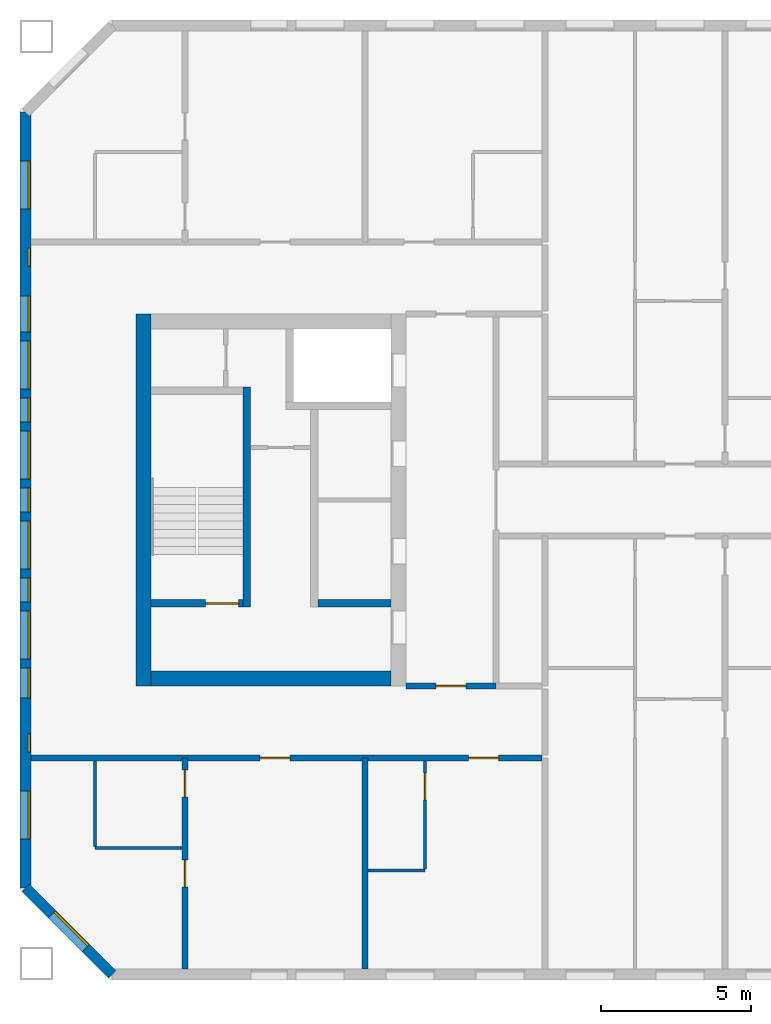
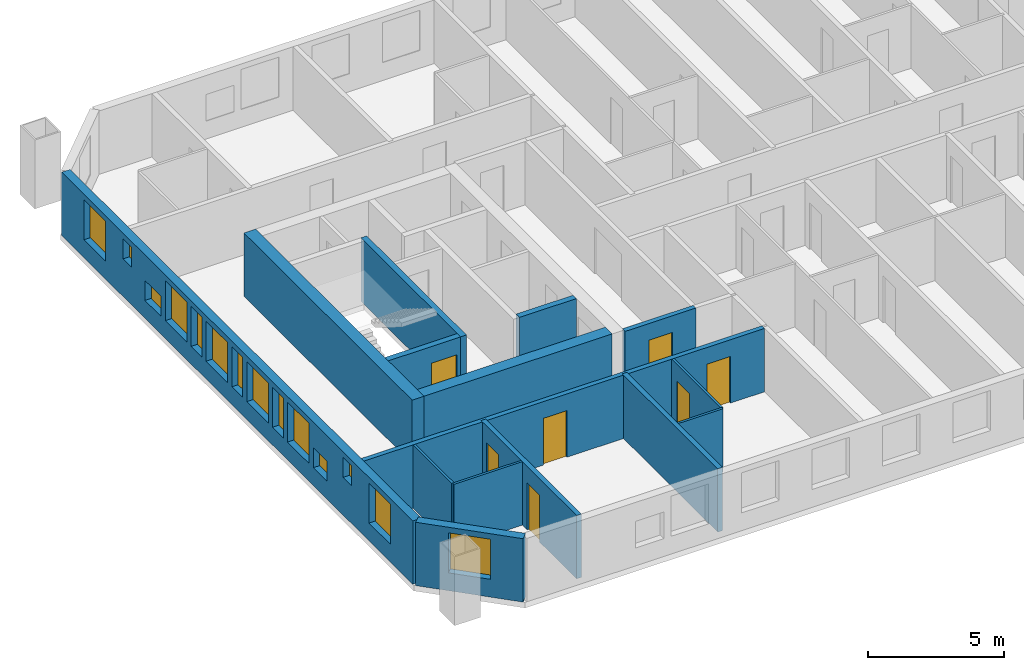
# One storey, part 2 of 16: 15 walls, 14 windows, 7 doors, 21 openings.
"""IFC4 building model written with IfcOpenShell, lengths in metres."""

from ifc_helpers import new_model, si_unit, direction, frame, frame_2d, origin, place, context, subcontext, project, spatial, rectangle, extrude, material, layer, layer_set, type_object, element, fill, save


model = new_model("IFC4")

# Units and contexts
model_context = context("Model", 3, precision=1e-05, world=origin(), true_north=direction((0.0, 1.0)))
body_context = subcontext(model_context, "Body", "Model", "MODEL_VIEW")
ifc_project = project(units=[si_unit("LENGTHUNIT", "METRE"), si_unit("AREAUNIT", "SQUARE_METRE"), si_unit("VOLUMEUNIT", "CUBIC_METRE"), si_unit("PLANEANGLEUNIT", "RADIAN"), si_unit("MASSUNIT", "GRAM", prefix="KILO")], contexts=[model_context])

# Site, building, storey
site_placement = place(None, origin())
site = spatial("IfcSite", under=ifc_project, at=site_placement, CompositionType="ELEMENT")
building_placement = place(site_placement, origin())
building = spatial("IfcBuilding", under=site, at=building_placement, Name="Tuart Gate Housing", CompositionType="ELEMENT")
storey_placement = place(building_placement, frame((0.0, 0.0, 151.60009765625)))
storey = spatial("IfcBuildingStorey", under=building, at=storey_placement, Name="L42", CompositionType="ELEMENT", Elevation=151.60009765625)

# Wall, opening, window
ifc_material_1 = material(Name="Brick", Category="masonry")
ifc_layer_1 = layer(ifc_material_1, 0.360107421875)
ifc_layer_set_1 = layer_set([ifc_layer_1], Name="Brick pier and spandrel wall 360")
wall_type_1 = type_object("IfcWallType", Name="Brick pier and spandrel wall 360", PredefinedType="STANDARD", material=ifc_layer_set_1)
wall_1_placement = place(storey_placement, frame((28.679931640625, 57.07470703125, 0.0), z_axis=(0.0, 0.0, 1.0), x_axis=(0.707106781187, -0.707106781187, 0.0)))
wall_1 = element("IfcWall", 1, at=wall_1_placement, inside=storey, type_object=wall_type_1, Name="External wall A-SW L42", PredefinedType="STANDARD", context=body_context, shape_type="SweptSolid", body=[
    extrude(rectangle(XDim=4.09375, YDim=0.360107421875, at=frame_2d((2.046875, 0.0))), origin(), (0.0, 0.0, 1.0), 2.849853515625),
])
opening_1_placement = place(wall_1_placement, frame((1.2470703125, 0.0, 0.800048828125)))
opening_1 = element("IfcOpeningElement", 2, at=opening_1_placement, cuts=wall_1, Name="Opening W1", PredefinedType="OPENING", context=body_context, shape_type="SweptSolid", body=[
    extrude(rectangle(XDim=1.60009765625, YDim=1.800048828125, at=frame_2d((0.800048828125, 0.89990234375))), frame((0.0, 0.18994140625, 0.0), z_axis=(0.0, -1.0, 0.0), x_axis=(1.0, 0.0, 0.0)), (0.0, 0.0, 1.0), 0.380126953125),
])
ifc_material_2 = material(Name="Aluminium frame with clear glass", Category="aluminium")
window_type_1 = type_object("IfcWindowType", Name="Punched window 1600 x 1800", PartitioningType="SINGLE_PANEL", PredefinedType="WINDOW", material=ifc_material_2)
window_1_placement = place(opening_1_placement, origin())
window_1 = element("IfcWindow", 3, at=window_1_placement, inside=storey, type_object=window_type_1, Name="Window W1", OverallHeight=1.800048828125, OverallWidth=1.60009765625, PartitioningType="SINGLE_PANEL", PredefinedType="WINDOW", context=body_context, shape_type="SweptSolid", body=[
    extrude(rectangle(XDim=1.60009765625, YDim=1.800048828125, at=frame_2d((0.800048828125, 0.89990234375))), frame((0.0, 0.150146484375, 0.0), z_axis=(0.0, -1.0, 0.0), x_axis=(1.0, 0.0, 0.0)), (0.0, 0.0, 1.0), 0.06005859375),
])
fill(opening_1, window_1)

# Wall, openings, windows
wall_2_placement = place(storey_placement, frame((28.679931640625, 82.92529296875, 0.0), z_axis=(0.0, 0.0, 1.0), x_axis=(0.0, -1.0, 0.0)))
wall_2 = element("IfcWall", 4, at=wall_2_placement, inside=storey, type_object=wall_type_1, Name="External wall A-W L42", PredefinedType="STANDARD", context=body_context, shape_type="SweptSolid", body=[
    extrude(rectangle(XDim=25.850830078125, YDim=0.360107421875, at=frame_2d((12.92529296875, 0.0))), origin(), (0.0, 0.0, 1.0), 2.849853515625),
])
opening_2_placement = place(wall_2_placement, frame((1.62548828125, 0.0, 0.800048828125)))
opening_2 = element("IfcOpeningElement", 5, at=opening_2_placement, cuts=wall_2, Name="Opening W1", PredefinedType="OPENING", context=body_context, shape_type="SweptSolid", body=[
    extrude(rectangle(XDim=1.60009765625, YDim=1.800048828125, at=frame_2d((0.800048828125, 0.89990234375))), frame((0.0, 0.18994140625, 0.0), z_axis=(0.0, -1.0, 0.0), x_axis=(1.0, 0.0, 0.0)), (0.0, 0.0, 1.0), 0.380126953125),
])
opening_3_placement = place(wall_2_placement, frame((4.525390625, 0.0, 1.699951171875)))
opening_3 = element("IfcOpeningElement", 6, at=opening_3_placement, cuts=wall_2, Name="Opening W1W", PredefinedType="OPENING", context=body_context, shape_type="SweptSolid", body=[
    extrude(rectangle(XDim=0.60009765625, YDim=0.89990234375, at=frame_2d((0.300048828125, 0.449951171875))), frame((0.0, 0.18994140625, 0.0), z_axis=(0.0, -1.0, 0.0), x_axis=(1.0, 0.0, 0.0)), (0.0, 0.0, 1.0), 0.380126953125),
])
opening_4_placement = place(wall_2_placement, frame((7.62548828125, 0.0, 0.800048828125)))
opening_4 = element("IfcOpeningElement", 7, at=opening_4_placement, cuts=wall_2, Name="Opening W1", PredefinedType="OPENING", context=body_context, shape_type="SweptSolid", body=[
    extrude(rectangle(XDim=1.60009765625, YDim=1.800048828125, at=frame_2d((0.800048828125, 0.89990234375))), frame((0.0, 0.18994140625, 0.0), z_axis=(0.0, -1.0, 0.0), x_axis=(1.0, 0.0, 0.0)), (0.0, 0.0, 1.0), 0.380126953125),
])
opening_5_placement = place(wall_2_placement, frame((10.62548828125, 0.0, 0.800048828125)))
opening_5 = element("IfcOpeningElement", 8, at=opening_5_placement, cuts=wall_2, Name="Opening W1", PredefinedType="OPENING", context=body_context, shape_type="SweptSolid", body=[
    extrude(rectangle(XDim=1.60009765625, YDim=1.800048828125, at=frame_2d((0.800048828125, 0.89990234375))), frame((0.0, 0.18994140625, 0.0), z_axis=(0.0, -1.0, 0.0), x_axis=(1.0, 0.0, 0.0)), (0.0, 0.0, 1.0), 0.380126953125),
])
opening_6_placement = place(wall_2_placement, frame((13.62548828125, 0.0, 0.800048828125)))
opening_6 = element("IfcOpeningElement", 9, at=opening_6_placement, cuts=wall_2, Name="Opening W1", PredefinedType="OPENING", context=body_context, shape_type="SweptSolid", body=[
    extrude(rectangle(XDim=1.60009765625, YDim=1.800048828125, at=frame_2d((0.800048828125, 0.89990234375))), frame((0.0, 0.18994140625, 0.0), z_axis=(0.0, -1.0, 0.0), x_axis=(1.0, 0.0, 0.0)), (0.0, 0.0, 1.0), 0.380126953125),
])
opening_7_placement = place(wall_2_placement, frame((16.62548828125, 0.0, 0.800048828125)))
opening_7 = element("IfcOpeningElement", 10, at=opening_7_placement, cuts=wall_2, Name="Opening W1", PredefinedType="OPENING", context=body_context, shape_type="SweptSolid", body=[
    extrude(rectangle(XDim=1.60009765625, YDim=1.800048828125, at=frame_2d((0.800048828125, 0.89990234375))), frame((0.0, 0.18994140625, 0.0), z_axis=(0.0, -1.0, 0.0), x_axis=(1.0, 0.0, 0.0)), (0.0, 0.0, 1.0), 0.380126953125),
])
opening_8_placement = place(wall_2_placement, frame((6.12548828125, 0.0, 0.800048828125)))
opening_8 = element("IfcOpeningElement", 11, at=opening_8_placement, cuts=wall_2, Name="Opening W1T", PredefinedType="OPENING", context=body_context, shape_type="SweptSolid", body=[
    extrude(rectangle(XDim=1.199951171875, YDim=0.89990234375, at=frame_2d((0.60009765625, 0.449951171875))), frame((0.0, 0.18994140625, 0.0), z_axis=(0.0, -1.0, 0.0), x_axis=(1.0, 0.0, 0.0)), (0.0, 0.0, 1.0), 0.380126953125),
])
opening_9_placement = place(wall_2_placement, frame((22.62548828125, 0.0, 0.800048828125)))
opening_9 = element("IfcOpeningElement", 12, at=opening_9_placement, cuts=wall_2, Name="Opening W1", PredefinedType="OPENING", context=body_context, shape_type="SweptSolid", body=[
    extrude(rectangle(XDim=1.60009765625, YDim=1.800048828125, at=frame_2d((0.800048828125, 0.89990234375))), frame((0.0, 0.18994140625, 0.0), z_axis=(0.0, -1.0, 0.0), x_axis=(1.0, 0.0, 0.0)), (0.0, 0.0, 1.0), 0.380126953125),
])
opening_10_placement = place(wall_2_placement, frame((9.525390625, 0.0, 0.800048828125)))
opening_10 = element("IfcOpeningElement", 13, at=opening_10_placement, cuts=wall_2, Name="Opening W1D", PredefinedType="OPENING", context=body_context, shape_type="SweptSolid", body=[
    extrude(rectangle(XDim=0.800048828125, YDim=1.800048828125, at=frame_2d((0.39990234375, 0.89990234375))), frame((0.0, 0.18994140625, 0.0), z_axis=(0.0, -1.0, 0.0), x_axis=(1.0, 0.0, 0.0)), (0.0, 0.0, 1.0), 0.380126953125),
])
opening_11_placement = place(wall_2_placement, frame((12.525390625, 0.0, 0.800048828125)))
opening_11 = element("IfcOpeningElement", 14, at=opening_11_placement, cuts=wall_2, Name="Opening W1D", PredefinedType="OPENING", context=body_context, shape_type="SweptSolid", body=[
    extrude(rectangle(XDim=0.800048828125, YDim=1.800048828125, at=frame_2d((0.39990234375, 0.89990234375))), frame((0.0, 0.18994140625, 0.0), z_axis=(0.0, -1.0, 0.0), x_axis=(1.0, 0.0, 0.0)), (0.0, 0.0, 1.0), 0.380126953125),
])
opening_12_placement = place(wall_2_placement, frame((15.525390625, 0.0, 0.800048828125)))
opening_12 = element("IfcOpeningElement", 15, at=opening_12_placement, cuts=wall_2, Name="Opening W1D", PredefinedType="OPENING", context=body_context, shape_type="SweptSolid", body=[
    extrude(rectangle(XDim=0.800048828125, YDim=1.800048828125, at=frame_2d((0.39990234375, 0.89990234375))), frame((0.0, 0.18994140625, 0.0), z_axis=(0.0, -1.0, 0.0), x_axis=(1.0, 0.0, 0.0)), (0.0, 0.0, 1.0), 0.380126953125),
])
opening_13_placement = place(wall_2_placement, frame((18.525390625, 0.0, 0.800048828125)))
opening_13 = element("IfcOpeningElement", 16, at=opening_13_placement, cuts=wall_2, Name="Opening W1U", PredefinedType="OPENING", context=body_context, shape_type="SweptSolid", body=[
    extrude(rectangle(XDim=1.0, YDim=0.89990234375, at=frame_2d((0.5, 0.449951171875))), frame((0.0, 0.18994140625, 0.0), z_axis=(0.0, -1.0, 0.0), x_axis=(1.0, 0.0, 0.0)), (0.0, 0.0, 1.0), 0.380126953125),
])
opening_14_placement = place(wall_2_placement, frame((20.725341796875, 0.0, 1.699951171875)))
opening_14 = element("IfcOpeningElement", 17, at=opening_14_placement, cuts=wall_2, Name="Opening W1W", PredefinedType="OPENING", context=body_context, shape_type="SweptSolid", body=[
    extrude(rectangle(XDim=0.60009765625, YDim=0.89990234375, at=frame_2d((0.300048828125, 0.449951171875))), frame((0.0, 0.18994140625, 0.0), z_axis=(0.0, -1.0, 0.0), x_axis=(1.0, 0.0, 0.0)), (0.0, 0.0, 1.0), 0.380126953125),
])
ifc_material_3 = material(Name="Aluminium frame with clear glass", Category="aluminium")
window_type_2 = type_object("IfcWindowType", Name="Punched window 1000 x 900", PartitioningType="SINGLE_PANEL", PredefinedType="WINDOW", material=ifc_material_3)
window_2_placement = place(opening_13_placement, origin())
window_2 = element("IfcWindow", 18, at=window_2_placement, inside=storey, type_object=window_type_2, Name="Window W1U", OverallHeight=0.89990234375, OverallWidth=1.0, PartitioningType="SINGLE_PANEL", PredefinedType="WINDOW", context=body_context, shape_type="SweptSolid", body=[
    extrude(rectangle(XDim=1.0, YDim=0.89990234375, at=frame_2d((0.5, 0.449951171875))), frame((0.0, 0.150146484375, 0.0), z_axis=(0.0, -1.0, 0.0), x_axis=(1.0, 0.0, 0.0)), (0.0, 0.0, 1.0), 0.06005859375),
])
fill(opening_13, window_2)
ifc_material_4 = material(Name="Aluminium frame with clear glass", Category="aluminium")
window_type_3 = type_object("IfcWindowType", Name="Punched window 1200 x 900", PartitioningType="SINGLE_PANEL", PredefinedType="WINDOW", material=ifc_material_4)
window_3_placement = place(opening_8_placement, origin())
window_3 = element("IfcWindow", 19, at=window_3_placement, inside=storey, type_object=window_type_3, Name="Window W1T", OverallHeight=0.89990234375, OverallWidth=1.199951171875, PartitioningType="SINGLE_PANEL", PredefinedType="WINDOW", context=body_context, shape_type="SweptSolid", body=[
    extrude(rectangle(XDim=1.199951171875, YDim=0.89990234375, at=frame_2d((0.60009765625, 0.449951171875))), frame((0.0, 0.150146484375, 0.0), z_axis=(0.0, -1.0, 0.0), x_axis=(1.0, 0.0, 0.0)), (0.0, 0.0, 1.0), 0.06005859375),
])
fill(opening_8, window_3)
window_4_placement = place(opening_2_placement, origin())
window_4 = element("IfcWindow", 20, at=window_4_placement, inside=storey, type_object=window_type_1, Name="Window W1", OverallHeight=1.800048828125, OverallWidth=1.60009765625, PartitioningType="SINGLE_PANEL", PredefinedType="WINDOW", context=body_context, shape_type="SweptSolid", body=[
    extrude(rectangle(XDim=1.60009765625, YDim=1.800048828125, at=frame_2d((0.800048828125, 0.89990234375))), frame((0.0, 0.150146484375, 0.0), z_axis=(0.0, -1.0, 0.0), x_axis=(1.0, 0.0, 0.0)), (0.0, 0.0, 1.0), 0.06005859375),
])
fill(opening_2, window_4)
window_5_placement = place(opening_4_placement, origin())
window_5 = element("IfcWindow", 21, at=window_5_placement, inside=storey, type_object=window_type_1, Name="Window W1", OverallHeight=1.800048828125, OverallWidth=1.60009765625, PartitioningType="SINGLE_PANEL", PredefinedType="WINDOW", context=body_context, shape_type="SweptSolid", body=[
    extrude(rectangle(XDim=1.60009765625, YDim=1.800048828125, at=frame_2d((0.800048828125, 0.89990234375))), frame((0.0, 0.150146484375, 0.0), z_axis=(0.0, -1.0, 0.0), x_axis=(1.0, 0.0, 0.0)), (0.0, 0.0, 1.0), 0.06005859375),
])
fill(opening_4, window_5)
window_6_placement = place(opening_5_placement, origin())
window_6 = element("IfcWindow", 22, at=window_6_placement, inside=storey, type_object=window_type_1, Name="Window W1", OverallHeight=1.800048828125, OverallWidth=1.60009765625, PartitioningType="SINGLE_PANEL", PredefinedType="WINDOW", context=body_context, shape_type="SweptSolid", body=[
    extrude(rectangle(XDim=1.60009765625, YDim=1.800048828125, at=frame_2d((0.800048828125, 0.89990234375))), frame((0.0, 0.150146484375, 0.0), z_axis=(0.0, -1.0, 0.0), x_axis=(1.0, 0.0, 0.0)), (0.0, 0.0, 1.0), 0.06005859375),
])
fill(opening_5, window_6)
window_7_placement = place(opening_6_placement, origin())
window_7 = element("IfcWindow", 23, at=window_7_placement, inside=storey, type_object=window_type_1, Name="Window W1", OverallHeight=1.800048828125, OverallWidth=1.60009765625, PartitioningType="SINGLE_PANEL", PredefinedType="WINDOW", context=body_context, shape_type="SweptSolid", body=[
    extrude(rectangle(XDim=1.60009765625, YDim=1.800048828125, at=frame_2d((0.800048828125, 0.89990234375))), frame((0.0, 0.150146484375, 0.0), z_axis=(0.0, -1.0, 0.0), x_axis=(1.0, 0.0, 0.0)), (0.0, 0.0, 1.0), 0.06005859375),
])
fill(opening_6, window_7)
window_8_placement = place(opening_7_placement, origin())
window_8 = element("IfcWindow", 24, at=window_8_placement, inside=storey, type_object=window_type_1, Name="Window W1", OverallHeight=1.800048828125, OverallWidth=1.60009765625, PartitioningType="SINGLE_PANEL", PredefinedType="WINDOW", context=body_context, shape_type="SweptSolid", body=[
    extrude(rectangle(XDim=1.60009765625, YDim=1.800048828125, at=frame_2d((0.800048828125, 0.89990234375))), frame((0.0, 0.150146484375, 0.0), z_axis=(0.0, -1.0, 0.0), x_axis=(1.0, 0.0, 0.0)), (0.0, 0.0, 1.0), 0.06005859375),
])
fill(opening_7, window_8)
window_9_placement = place(opening_9_placement, origin())
window_9 = element("IfcWindow", 25, at=window_9_placement, inside=storey, type_object=window_type_1, Name="Window W1", OverallHeight=1.800048828125, OverallWidth=1.60009765625, PartitioningType="SINGLE_PANEL", PredefinedType="WINDOW", context=body_context, shape_type="SweptSolid", body=[
    extrude(rectangle(XDim=1.60009765625, YDim=1.800048828125, at=frame_2d((0.800048828125, 0.89990234375))), frame((0.0, 0.150146484375, 0.0), z_axis=(0.0, -1.0, 0.0), x_axis=(1.0, 0.0, 0.0)), (0.0, 0.0, 1.0), 0.06005859375),
])
fill(opening_9, window_9)
ifc_material_5 = material(Name="Aluminium frame with clear glass", Category="aluminium")
window_type_4 = type_object("IfcWindowType", Name="Punched window 600 x 900", PartitioningType="SINGLE_PANEL", PredefinedType="WINDOW", material=ifc_material_5)
window_10_placement = place(opening_3_placement, origin())
window_10 = element("IfcWindow", 26, at=window_10_placement, inside=storey, type_object=window_type_4, Name="Window W1W", OverallHeight=0.89990234375, OverallWidth=0.60009765625, PartitioningType="SINGLE_PANEL", PredefinedType="WINDOW", context=body_context, shape_type="SweptSolid", body=[
    extrude(rectangle(XDim=0.60009765625, YDim=0.89990234375, at=frame_2d((0.300048828125, 0.449951171875))), frame((0.0, 0.150146484375, 0.0), z_axis=(0.0, -1.0, 0.0), x_axis=(1.0, 0.0, 0.0)), (0.0, 0.0, 1.0), 0.06005859375),
])
fill(opening_3, window_10)
window_11_placement = place(opening_14_placement, origin())
window_11 = element("IfcWindow", 27, at=window_11_placement, inside=storey, type_object=window_type_4, Name="Window W1W", OverallHeight=0.89990234375, OverallWidth=0.60009765625, PartitioningType="SINGLE_PANEL", PredefinedType="WINDOW", context=body_context, shape_type="SweptSolid", body=[
    extrude(rectangle(XDim=0.60009765625, YDim=0.89990234375, at=frame_2d((0.300048828125, 0.449951171875))), frame((0.0, 0.150146484375, 0.0), z_axis=(0.0, -1.0, 0.0), x_axis=(1.0, 0.0, 0.0)), (0.0, 0.0, 1.0), 0.06005859375),
])
fill(opening_14, window_11)
ifc_material_6 = material(Name="Aluminium frame with clear glass", Category="aluminium")
window_type_5 = type_object("IfcWindowType", Name="Punched window 800 x 1800", PartitioningType="SINGLE_PANEL", PredefinedType="WINDOW", material=ifc_material_6)
window_12_placement = place(opening_10_placement, origin())
window_12 = element("IfcWindow", 28, at=window_12_placement, inside=storey, type_object=window_type_5, Name="Window W1D", OverallHeight=1.800048828125, OverallWidth=0.800048828125, PartitioningType="SINGLE_PANEL", PredefinedType="WINDOW", context=body_context, shape_type="SweptSolid", body=[
    extrude(rectangle(XDim=0.800048828125, YDim=1.800048828125, at=frame_2d((0.39990234375, 0.89990234375))), frame((0.0, 0.150146484375, 0.0), z_axis=(0.0, -1.0, 0.0), x_axis=(1.0, 0.0, 0.0)), (0.0, 0.0, 1.0), 0.06005859375),
])
fill(opening_10, window_12)
window_13_placement = place(opening_11_placement, origin())
window_13 = element("IfcWindow", 29, at=window_13_placement, inside=storey, type_object=window_type_5, Name="Window W1D", OverallHeight=1.800048828125, OverallWidth=0.800048828125, PartitioningType="SINGLE_PANEL", PredefinedType="WINDOW", context=body_context, shape_type="SweptSolid", body=[
    extrude(rectangle(XDim=0.800048828125, YDim=1.800048828125, at=frame_2d((0.39990234375, 0.89990234375))), frame((0.0, 0.150146484375, 0.0), z_axis=(0.0, -1.0, 0.0), x_axis=(1.0, 0.0, 0.0)), (0.0, 0.0, 1.0), 0.06005859375),
])
fill(opening_11, window_13)
window_14_placement = place(opening_12_placement, origin())
window_14 = element("IfcWindow", 30, at=window_14_placement, inside=storey, type_object=window_type_5, Name="Window W1D", OverallHeight=1.800048828125, OverallWidth=0.800048828125, PartitioningType="SINGLE_PANEL", PredefinedType="WINDOW", context=body_context, shape_type="SweptSolid", body=[
    extrude(rectangle(XDim=0.800048828125, YDim=1.800048828125, at=frame_2d((0.39990234375, 0.89990234375))), frame((0.0, 0.150146484375, 0.0), z_axis=(0.0, -1.0, 0.0), x_axis=(1.0, 0.0, 0.0)), (0.0, 0.0, 1.0), 0.06005859375),
])
fill(opening_12, window_14)

# Wall
ifc_material_7 = material(Name="Concrete C40", Category="concrete")
ifc_layer_2 = layer(ifc_material_7, 0.25)
ifc_layer_set_2 = layer_set([ifc_layer_2], Name="Core wall 250 C40")
wall_type_2 = type_object("IfcWallType", Name="Core wall 250 C40", PredefinedType="SHEAR", material=ifc_layer_set_2)
wall_3_placement = place(storey_placement, frame((40.860107421875, 66.550048828125, 0.0), z_axis=(0.0, 0.0, 1.0), x_axis=(-1.0, 0.0, 0.0)))
element("IfcWall", 31, at=wall_3_placement, inside=storey, type_object=wall_type_2, Name="Core wall AK.5", PredefinedType="SHEAR", context=body_context, shape_type="SweptSolid", body=[
    extrude(rectangle(XDim=2.425048828125, YDim=0.25, at=frame_2d((1.21240234375, 0.0))), origin(), (0.0, 0.0, 1.0), 2.849853515625),
])

# Wall, opening, door
wall_4_placement = place(storey_placement, frame((35.93505859375, 66.550048828125, 0.0), z_axis=(0.0, 0.0, 1.0), x_axis=(-1.0, 0.0, 0.0)))
wall_4 = element("IfcWall", 32, at=wall_4_placement, inside=storey, type_object=wall_type_2, Name="Core wall AK.6", PredefinedType="SHEAR", context=body_context, shape_type="SweptSolid", body=[
    extrude(rectangle(XDim=3.074951171875, YDim=0.25, at=frame_2d((1.53759765625, 0.0))), origin(), (0.0, 0.0, 1.0), 2.849853515625),
])
opening_15_placement = place(wall_4_placement, frame((0.14990234375, 0.0, 0.0)))
opening_15 = element("IfcOpeningElement", 33, at=opening_15_placement, cuts=wall_4, Name="Opening D1551", PredefinedType="OPENING", context=body_context, shape_type="SweptSolid", body=[
    extrude(rectangle(XDim=1.10009765625, YDim=2.10009765625, at=frame_2d((0.550048828125, 1.050048828125))), frame((0.0, 0.135009765625, 0.0), z_axis=(0.0, -1.0, 0.0), x_axis=(1.0, 0.0, 0.0)), (0.0, 0.0, 1.0), 0.27001953125),
])
ifc_material_8 = material(Name="Steel fire door", Category="steel")
door_type_1 = type_object("IfcDoorType", Name="Stair door 1100 x 2100 RH", OperationType="SINGLE_SWING_RIGHT", PredefinedType="DOOR", material=ifc_material_8)
door_1_placement = place(opening_15_placement, frame((1.10009765625, 0.0, 0.0), z_axis=(0.0, 0.0, 1.0), x_axis=(-1.0, 0.0, 0.0)))
door_1 = element("IfcDoor", 34, at=door_1_placement, inside=storey, type_object=door_type_1, Name="Stair door AK.SD", OperationType="SINGLE_SWING_RIGHT", OverallHeight=2.10009765625, OverallWidth=1.10009765625, PredefinedType="DOOR", context=body_context, shape_type="SweptSolid", body=[
    extrude(rectangle(XDim=1.10009765625, YDim=2.10009765625, at=frame_2d((0.550048828125, 1.050048828125))), frame((0.0, 0.025146484375, 0.0), z_axis=(0.0, -1.0, 0.0), x_axis=(1.0, 0.0, 0.0)), (0.0, 0.0, 1.0), 0.050048828125),
])
fill(opening_15, door_1)

# Walls
wall_5_placement = place(storey_placement, frame((36.06005859375, 73.77490234375, 0.0), z_axis=(0.0, 0.0, 1.0), x_axis=(0.0, -1.0, 0.0)))
element("IfcWall", 35, at=wall_5_placement, inside=storey, type_object=wall_type_2, Name="Core wall AK.9", PredefinedType="SHEAR", context=body_context, shape_type="SweptSolid", body=[
    extrude(rectangle(XDim=7.349853515625, YDim=0.25, at=frame_2d((3.6748046875, 0.0))), origin(), (0.0, 0.0, 1.0), 2.849853515625),
])
ifc_material_9 = material(Name="Concrete C40", Category="concrete")
ifc_layer_3 = layer(ifc_material_9, 0.5)
ifc_layer_set_3 = layer_set([ifc_layer_3], Name="Core wall 500 C40")
wall_type_3 = type_object("IfcWallType", Name="Core wall 500 C40", PredefinedType="SHEAR", material=ifc_layer_set_3)
wall_6_placement = place(storey_placement, frame((32.610107421875, 76.199951171875, 0.0), z_axis=(0.0, 0.0, 1.0), x_axis=(0.0, -1.0, 0.0)))
element("IfcWall", 36, at=wall_6_placement, inside=storey, type_object=wall_type_3, Name="Core wall AK back", PredefinedType="SHEAR", context=body_context, shape_type="SweptSolid", body=[
    extrude(rectangle(XDim=12.39990234375, YDim=0.5, at=frame_2d((6.199951171875, 0.0))), origin(), (0.0, 0.0, 1.0), 2.849853515625),
])
wall_7_placement = place(storey_placement, frame((40.860107421875, 64.050048828125, 0.0), z_axis=(0.0, 0.0, 1.0), x_axis=(-1.0, 0.0, 0.0)))
element("IfcWall", 37, at=wall_7_placement, inside=storey, type_object=wall_type_3, Name="Core wall AK north", PredefinedType="SHEAR", context=body_context, shape_type="SweptSolid", body=[
    extrude(rectangle(XDim=8.0, YDim=0.5, at=frame_2d((4.0, 0.0))), origin(), (0.0, 0.0, 1.0), 2.849853515625),
])

# Wall, openings, doors
ifc_material_10 = material(Name="Concrete masonry 15 MPa", Category="masonry")
ifc_layer_4 = layer(ifc_material_10, 0.199951171875)
ifc_layer_set_4 = layer_set([ifc_layer_4], Name="Corridor wall masonry 200")
wall_type_4 = type_object("IfcWallType", Name="Corridor wall masonry 200", PredefinedType="PARTITIONING", material=ifc_layer_set_4)
wall_8_placement = place(storey_placement, frame((28.860107421875, 61.39990234375, 0.0), z_axis=(0.0, 0.0, 1.0), x_axis=(1.0, 0.0, 0.0)))
wall_8 = element("IfcWall", 38, at=wall_8_placement, inside=storey, type_object=wall_type_4, Name="Corridor wall masonry 200", PredefinedType="PARTITIONING", context=body_context, shape_type="SweptSolid", body=[
    extrude(rectangle(XDim=17.039794921875, YDim=0.199951171875, at=frame_2d((8.52001953125, 0.0))), origin(), (0.0, 0.0, 1.0), 2.849853515625),
])
opening_16_placement = place(wall_8_placement, frame((14.590087890625, 0.0, 0.0)))
opening_16 = element("IfcOpeningElement", 39, at=opening_16_placement, cuts=wall_8, Name="Opening D1564", PredefinedType="OPENING", context=body_context, shape_type="SweptSolid", body=[
    extrude(rectangle(XDim=1.0, YDim=2.10009765625, at=frame_2d((0.5, 1.050048828125))), frame((0.0, 0.10986328125, 0.0), z_axis=(0.0, -1.0, 0.0), x_axis=(1.0, 0.0, 0.0)), (0.0, 0.0, 1.0), 0.219970703125),
])
opening_17_placement = place(wall_8_placement, frame((7.639892578125, 0.0, 0.0)))
opening_17 = element("IfcOpeningElement", 40, at=opening_17_placement, cuts=wall_8, Name="Opening D1565", PredefinedType="OPENING", context=body_context, shape_type="SweptSolid", body=[
    extrude(rectangle(XDim=1.0, YDim=2.10009765625, at=frame_2d((0.5, 1.050048828125))), frame((0.0, 0.10986328125, 0.0), z_axis=(0.0, -1.0, 0.0), x_axis=(1.0, 0.0, 0.0)), (0.0, 0.0, 1.0), 0.219970703125),
])
ifc_material_11 = material(Name="Timber door leaf in steel frame", Category="steel")
door_type_2 = type_object("IfcDoorType", Name="Flat entrance door 1000 RH", OperationType="SINGLE_SWING_RIGHT", PredefinedType="DOOR", material=ifc_material_11)
door_2_placement = place(opening_16_placement, frame((1.0, 0.0, 0.0), z_axis=(0.0, 0.0, 1.0), x_axis=(-1.0, 0.0, 0.0)))
door_2 = element("IfcDoor", 41, at=door_2_placement, inside=storey, type_object=door_type_2, Name="Flat entrance door", OperationType="SINGLE_SWING_RIGHT", OverallHeight=2.10009765625, OverallWidth=1.0, PredefinedType="DOOR", context=body_context, shape_type="SweptSolid", body=[
    extrude(rectangle(XDim=1.0, YDim=2.10009765625, at=frame_2d((0.5, 1.050048828125))), frame((0.0, 0.025146484375, 0.0), z_axis=(0.0, -1.0, 0.0), x_axis=(1.0, 0.0, 0.0)), (0.0, 0.0, 1.0), 0.050048828125),
])
fill(opening_16, door_2)
door_3_placement = place(opening_17_placement, frame((1.0, 0.0, 0.0), z_axis=(0.0, 0.0, 1.0), x_axis=(-1.0, 0.0, 0.0)))
door_3 = element("IfcDoor", 42, at=door_3_placement, inside=storey, type_object=door_type_2, Name="Flat entrance door", OperationType="SINGLE_SWING_RIGHT", OverallHeight=2.10009765625, OverallWidth=1.0, PredefinedType="DOOR", context=body_context, shape_type="SweptSolid", body=[
    extrude(rectangle(XDim=1.0, YDim=2.10009765625, at=frame_2d((0.5, 1.050048828125))), frame((0.0, 0.025146484375, 0.0), z_axis=(0.0, -1.0, 0.0), x_axis=(1.0, 0.0, 0.0)), (0.0, 0.0, 1.0), 0.050048828125),
])
fill(opening_17, door_3)

# Wall, opening, door
ifc_material_12 = material(Name="Concrete masonry 15 MPa", Category="masonry")
ifc_layer_5 = layer(ifc_material_12, 0.199951171875)
ifc_layer_set_5 = layer_set([ifc_layer_5], Name="Enclosure wall masonry 200")
wall_type_5 = type_object("IfcWallType", Name="Enclosure wall masonry 200", PredefinedType="PARTITIONING", material=ifc_layer_set_5)
wall_9_placement = place(storey_placement, frame((41.360107421875, 63.800048828125, 0.0), z_axis=(0.0, 0.0, 1.0), x_axis=(1.0, 0.0, 0.0)))
wall_9 = element("IfcWall", 43, at=wall_9_placement, inside=storey, type_object=wall_type_5, Name="Enclosure wall masonry 200", PredefinedType="PARTITIONING", context=body_context, shape_type="SweptSolid", body=[
    extrude(rectangle(XDim=3.0, YDim=0.199951171875, at=frame_2d((1.5, 0.0))), origin(), (0.0, 0.0, 1.0), 2.849853515625),
])
opening_18_placement = place(wall_9_placement, frame((1.0, 0.0, 0.0)))
opening_18 = element("IfcOpeningElement", 44, at=opening_18_placement, cuts=wall_9, Name="Opening D1552", PredefinedType="OPENING", context=body_context, shape_type="SweptSolid", body=[
    extrude(rectangle(XDim=1.0, YDim=2.10009765625, at=frame_2d((0.5, 1.050048828125))), frame((0.0, 0.10986328125, 0.0), z_axis=(0.0, -1.0, 0.0), x_axis=(1.0, 0.0, 0.0)), (0.0, 0.0, 1.0), 0.219970703125),
])
ifc_material_13 = material(Name="Timber door leaf in steel frame", Category="steel")
door_type_3 = type_object("IfcDoorType", Name="Fire door 1000", OperationType="SINGLE_SWING_LEFT", PredefinedType="DOOR", material=ifc_material_13)
door_4_placement = place(opening_18_placement, frame((1.0, 0.0, 0.0), z_axis=(0.0, 0.0, 1.0), x_axis=(-1.0, 0.0, 0.0)))
door_4 = element("IfcDoor", 45, at=door_4_placement, inside=storey, type_object=door_type_3, Name="Fire door", OperationType="SINGLE_SWING_LEFT", OverallHeight=2.10009765625, OverallWidth=1.0, PredefinedType="DOOR", context=body_context, shape_type="SweptSolid", body=[
    extrude(rectangle(XDim=1.0, YDim=2.10009765625, at=frame_2d((0.5, 1.050048828125))), frame((0.0, 0.025146484375, 0.0), z_axis=(0.0, -1.0, 0.0), x_axis=(1.0, 0.0, 0.0)), (0.0, 0.0, 1.0), 0.050048828125),
])
fill(opening_18, door_4)

# Walls
ifc_material_14 = material(Name="Gypsum board on steel studs", Category="steel")
ifc_layer_6 = layer(ifc_material_14, 0.10009765625)
ifc_layer_set_6 = layer_set([ifc_layer_6], Name="Partition 100")
wall_type_6 = type_object("IfcWallType", Name="Partition 100", PredefinedType="PARTITIONING", material=ifc_layer_set_6)
wall_10_placement = place(storey_placement, frame((40.10009765625, 57.64990234375, 0.0), z_axis=(0.0, 0.0, 1.0), x_axis=(1.0, 0.0, 0.0)))
element("IfcWall", 46, at=wall_10_placement, inside=storey, type_object=wall_type_6, Name="Partition 100", PredefinedType="PARTITIONING", context=body_context, shape_type="SweptSolid", body=[
    extrude(rectangle(XDim=1.89990234375, YDim=0.10009765625, at=frame_2d((0.949951171875, 0.0))), origin(), (0.0, 0.0, 1.0), 2.849853515625),
])
wall_11_placement = place(storey_placement, frame((31.0, 58.39990234375, 0.0), z_axis=(0.0, 0.0, 1.0), x_axis=(1.0, 0.0, 0.0)))
element("IfcWall", 47, at=wall_11_placement, inside=storey, type_object=wall_type_6, Name="Partition 100", PredefinedType="PARTITIONING", context=body_context, shape_type="SweptSolid", body=[
    extrude(rectangle(XDim=2.89990234375, YDim=0.10009765625, at=frame_2d((1.449951171875, 0.0))), origin(), (0.0, 0.0, 1.0), 2.849853515625),
])
wall_12_placement = place(storey_placement, frame((31.0, 58.449951171875, 0.0), z_axis=(0.0, 0.0, 1.0), x_axis=(0.0, 1.0, 0.0)))
element("IfcWall", 48, at=wall_12_placement, inside=storey, type_object=wall_type_6, Name="Partition 100", PredefinedType="PARTITIONING", context=body_context, shape_type="SweptSolid", body=[
    extrude(rectangle(XDim=2.85009765625, YDim=0.10009765625, at=frame_2d((1.425048828125, 0.0))), origin(), (0.0, 0.0, 1.0), 2.849853515625),
])

# Wall, opening, door
wall_13_placement = place(storey_placement, frame((42.0, 57.699951171875, 0.0), z_axis=(0.0, 0.0, 1.0), x_axis=(0.0, 1.0, 0.0)))
wall_13 = element("IfcWall", 49, at=wall_13_placement, inside=storey, type_object=wall_type_6, Name="Partition 100", PredefinedType="PARTITIONING", context=body_context, shape_type="SweptSolid", body=[
    extrude(rectangle(XDim=3.60009765625, YDim=0.10009765625, at=frame_2d((1.800048828125, 0.0))), origin(), (0.0, 0.0, 1.0), 2.849853515625),
])
opening_19_placement = place(wall_13_placement, frame((2.300048828125, 0.0, 0.0)))
opening_19 = element("IfcOpeningElement", 50, at=opening_19_placement, cuts=wall_13, Name="Opening D1568", PredefinedType="OPENING", context=body_context, shape_type="SweptSolid", body=[
    extrude(rectangle(XDim=0.89990234375, YDim=2.10009765625, at=frame_2d((0.449951171875, 1.050048828125))), frame((0.0, 0.06005859375, 0.0), z_axis=(0.0, -1.0, 0.0), x_axis=(1.0, 0.0, 0.0)), (0.0, 0.0, 1.0), 0.1201171875),
])
ifc_material_15 = material(Name="Timber door leaf in steel frame", Category="steel")
door_type_4 = type_object("IfcDoorType", Name="Bathroom door 900 RH", OperationType="SINGLE_SWING_RIGHT", PredefinedType="DOOR", material=ifc_material_15)
door_5_placement = place(opening_19_placement, origin())
door_5 = element("IfcDoor", 51, at=door_5_placement, inside=storey, type_object=door_type_4, Name="Bathroom door", OperationType="SINGLE_SWING_RIGHT", OverallHeight=2.10009765625, OverallWidth=0.89990234375, PredefinedType="DOOR", context=body_context, shape_type="SweptSolid", body=[
    extrude(rectangle(XDim=0.89990234375, YDim=2.10009765625, at=frame_2d((0.449951171875, 1.050048828125))), frame((0.0, 0.02490234375, 0.0), z_axis=(0.0, -1.0, 0.0), x_axis=(1.0, 0.0, 0.0)), (0.0, 0.0, 1.0), 0.050048828125),
])
fill(opening_19, door_5)

# Wall, openings, doors
ifc_material_16 = material(Name="Concrete C40", Category="concrete")
ifc_layer_7 = layer(ifc_material_16, 0.199951171875)
ifc_layer_set_7 = layer_set([ifc_layer_7], Name="Party wall concrete C40 200")
wall_type_7 = type_object("IfcWallType", Name="Party wall concrete C40 200", PredefinedType="SOLIDWALL", material=ifc_layer_set_7)
wall_14_placement = place(storey_placement, frame((34.0, 54.360107421875, 0.0), z_axis=(0.0, 0.0, 1.0), x_axis=(0.0, 1.0, 0.0)))
wall_14 = element("IfcWall", 52, at=wall_14_placement, inside=storey, type_object=wall_type_7, Name="Party wall concrete C40 200", PredefinedType="SOLIDWALL", context=body_context, shape_type="SweptSolid", body=[
    extrude(rectangle(XDim=7.039794921875, YDim=0.199951171875, at=frame_2d((3.52001953125, 0.0))), origin(), (0.0, 0.0, 1.0), 2.849853515625),
])
opening_20_placement = place(wall_14_placement, frame((2.739990234375, 0.0, 0.0)))
opening_20 = element("IfcOpeningElement", 53, at=opening_20_placement, cuts=wall_14, Name="Opening D1572", PredefinedType="OPENING", context=body_context, shape_type="SweptSolid", body=[
    extrude(rectangle(XDim=0.89990234375, YDim=2.10009765625, at=frame_2d((0.449951171875, 1.050048828125))), frame((0.0, 0.10986328125, 0.0), z_axis=(0.0, -1.0, 0.0), x_axis=(1.0, 0.0, 0.0)), (0.0, 0.0, 1.0), 0.219970703125),
])
opening_21_placement = place(wall_14_placement, frame((5.739990234375, 0.0, 0.0)))
opening_21 = element("IfcOpeningElement", 54, at=opening_21_placement, cuts=wall_14, Name="Opening D1571", PredefinedType="OPENING", context=body_context, shape_type="SweptSolid", body=[
    extrude(rectangle(XDim=0.89990234375, YDim=2.10009765625, at=frame_2d((0.449951171875, 1.050048828125))), frame((0.0, 0.10986328125, 0.0), z_axis=(0.0, -1.0, 0.0), x_axis=(1.0, 0.0, 0.0)), (0.0, 0.0, 1.0), 0.219970703125),
])
door_6_placement = place(opening_21_placement, origin())
door_6 = element("IfcDoor", 55, at=door_6_placement, inside=storey, type_object=door_type_4, Name="Bathroom door", OperationType="SINGLE_SWING_RIGHT", OverallHeight=2.10009765625, OverallWidth=0.89990234375, PredefinedType="DOOR", context=body_context, shape_type="SweptSolid", body=[
    extrude(rectangle(XDim=0.89990234375, YDim=2.10009765625, at=frame_2d((0.449951171875, 1.050048828125))), frame((0.0, 0.02490234375, 0.0), z_axis=(0.0, -1.0, 0.0), x_axis=(1.0, 0.0, 0.0)), (0.0, 0.0, 1.0), 0.050048828125),
])
fill(opening_21, door_6)
ifc_material_17 = material(Name="Timber door leaf in steel frame", Category="steel")
door_type_5 = type_object("IfcDoorType", Name="Internal door 900 RH", OperationType="SINGLE_SWING_RIGHT", PredefinedType="DOOR", material=ifc_material_17)
door_7_placement = place(opening_20_placement, origin())
door_7 = element("IfcDoor", 56, at=door_7_placement, inside=storey, type_object=door_type_5, Name="Internal door", OperationType="SINGLE_SWING_RIGHT", OverallHeight=2.10009765625, OverallWidth=0.89990234375, PredefinedType="DOOR", context=body_context, shape_type="SweptSolid", body=[
    extrude(rectangle(XDim=0.89990234375, YDim=2.10009765625, at=frame_2d((0.449951171875, 1.050048828125))), frame((0.0, 0.02490234375, 0.0), z_axis=(0.0, -1.0, 0.0), x_axis=(1.0, 0.0, 0.0)), (0.0, 0.0, 1.0), 0.050048828125),
])
fill(opening_20, door_7)

# Wall
wall_15_placement = place(storey_placement, frame((40.0, 54.360107421875, 0.0), z_axis=(0.0, 0.0, 1.0), x_axis=(0.0, 1.0, 0.0)))
element("IfcWall", 57, at=wall_15_placement, inside=storey, type_object=wall_type_7, Name="Party wall concrete C40 200", PredefinedType="SOLIDWALL", context=body_context, shape_type="SweptSolid", body=[
    extrude(rectangle(XDim=7.039794921875, YDim=0.199951171875, at=frame_2d((3.52001953125, 0.0))), origin(), (0.0, 0.0, 1.0), 2.849853515625),
])

save(model, "model.ifc")
